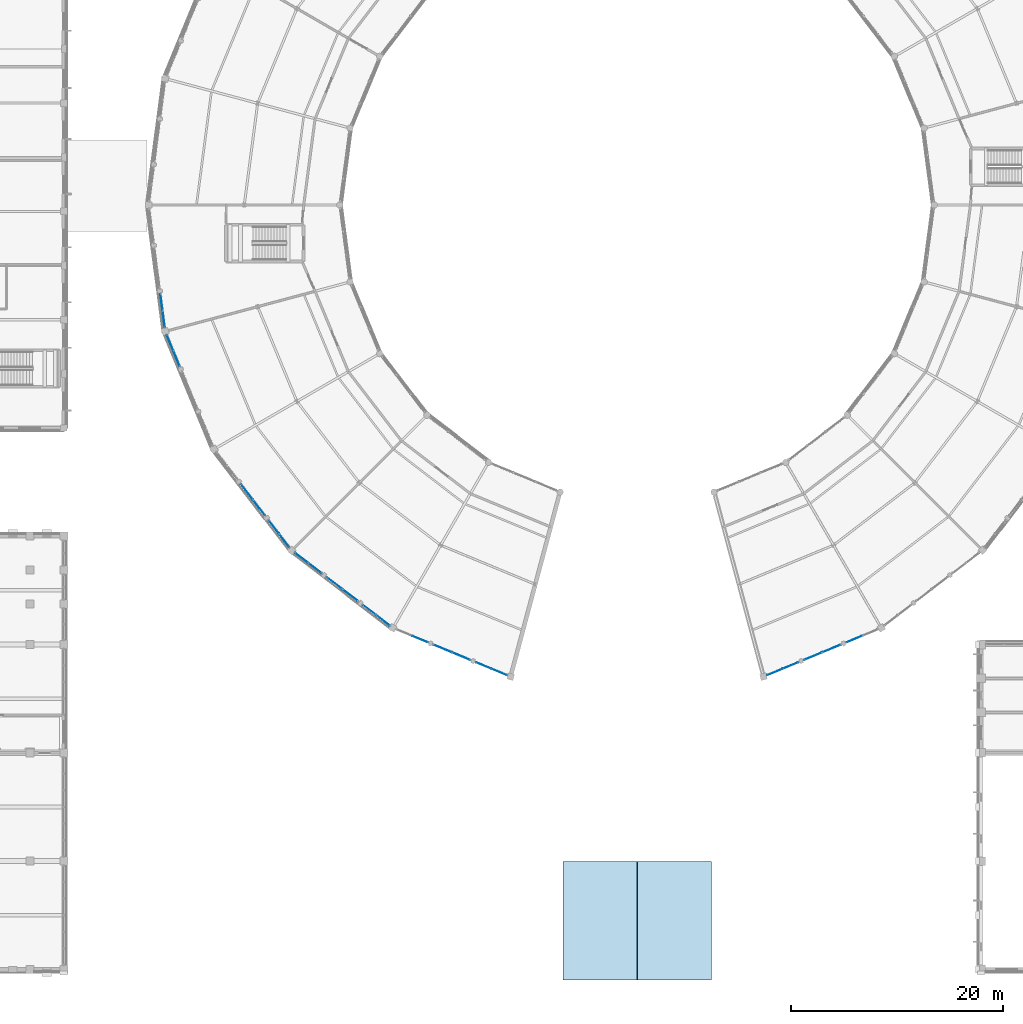
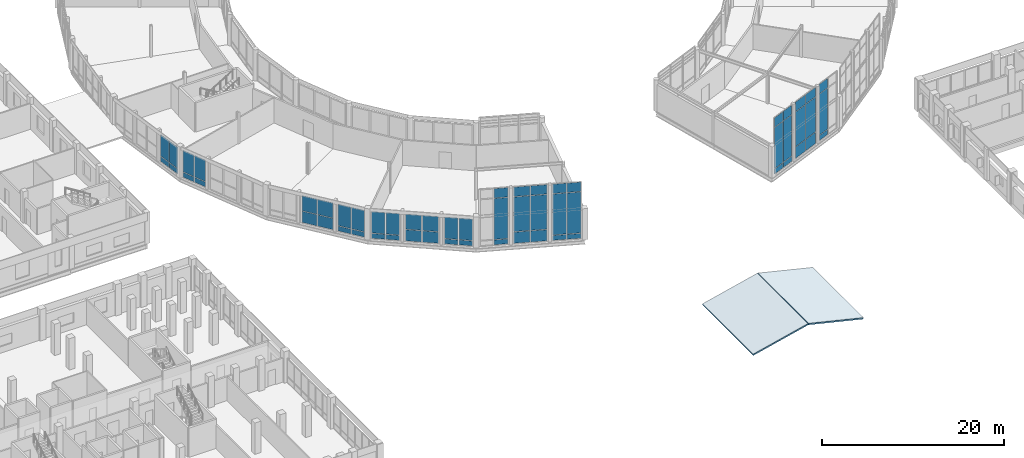
# One storey, part 125 of 170: 58 plates, 2 slabs, 13 elements without a shape of their own.
"""IFC4 building model written with IfcOpenShell, lengths in metres."""

from ifc_helpers import new_model, si_unit, direction, frame, origin, origin_2d, place, context, subcontext, project, spatial, polyline, rectangle, outline, extrude, material, layer, layer_set, type_object, element, aggregate, save


model = new_model("IFC4")

# Units and contexts
model_context = context("Model", 3, precision=1e-05, world=origin(), true_north=direction((0.0, 1.0)))
body_context = subcontext(model_context, "Body", "Model", "MODEL_VIEW")
ifc_project = project(units=[si_unit("LENGTHUNIT", "METRE"), si_unit("AREAUNIT", "SQUARE_METRE"), si_unit("VOLUMEUNIT", "CUBIC_METRE"), si_unit("PLANEANGLEUNIT", "RADIAN"), si_unit("MASSUNIT", "GRAM", prefix="KILO")], contexts=[model_context])

# Site, building, storey
site_placement = place(None, origin())
site = spatial("IfcSite", under=ifc_project, at=site_placement, CompositionType="ELEMENT")
building_placement = place(site_placement, origin())
building = spatial("IfcBuilding", under=site, at=building_placement, Name="Vondelvale Polytechnic", CompositionType="ELEMENT")
storey_placement = place(building_placement, frame((0.0, 0.0, 5.39990234375)))
storey = spatial("IfcBuildingStorey", under=building, at=storey_placement, Name="L01", CompositionType="ELEMENT", Elevation=5.39990234375)

# Curtain wall, plates
ifc_material_1 = material(Name="Glulam GL18 structural Tasmanian oak (fb = 42 MPa)", Category="wood")
curtain_wall_type = type_object("IfcCurtainWallType", Name="CW-RING-OUTER", PredefinedType="NOTDEFINED", material=ifc_material_1)
curtain_wall_1_placement = place(storey_placement, origin())
curtain_wall_1 = element("IfcCurtainWall", 1, at=curtain_wall_1_placement, inside=storey, type_object=curtain_wall_type, Name="L01 architectural curtain wall CW-04-262", PredefinedType="NOTDEFINED")
ifc_material_2 = material(Name="Double-glazed low-E insulated architectural glass", Category="glass")
ifc_layer_1 = layer(ifc_material_2, 0.028076171875)
ifc_layer_set_1 = layer_set([ifc_layer_1], Name="CW-PANEL-GLAZED")
plate_type_1 = type_object("IfcPlateType", Name="CW-PANEL-GLAZED", PredefinedType="CURTAIN_PANEL", material=ifc_layer_set_1)
plate_1_placement = place(storey_placement, frame((57.20751953125, 62.828369140625, 0.7802734375), z_axis=(0.0, 0.0, 1.0), x_axis=(0.130539547729, -0.991443102996, 0.0)))
plate_1 = element("IfcPlate", 2, at=plate_1_placement, type_object=plate_type_1, Name="CW-04-262 panel 1.2", PredefinedType="CURTAIN_PANEL", context=body_context, shape_type="SweptSolid", body=[
    extrude(rectangle(XDim=1.530029296875, YDim=0.028076171875, at=origin_2d()), origin(), (0.0, 0.0, 1.0), 2.8798828125),
])
plate_2_placement = place(storey_placement, frame((57.415771484375, 61.2470703125, 0.7802734375), z_axis=(0.0, 0.0, 1.0), x_axis=(0.130539547729, -0.991443102996, 0.0)))
plate_2 = element("IfcPlate", 3, at=plate_2_placement, type_object=plate_type_1, Name="CW-04-262 panel 2.2", PredefinedType="CURTAIN_PANEL", context=body_context, shape_type="SweptSolid", body=[
    extrude(rectangle(XDim=1.530029296875, YDim=0.028076171875, at=origin_2d()), origin(), (0.0, 0.0, 1.0), 2.8798828125),
])

curtain_wall_2_placement = place(storey_placement, origin())
curtain_wall_2 = element("IfcCurtainWall", 4, at=curtain_wall_2_placement, inside=storey, type_object=curtain_wall_type, Name="L01 architectural curtain wall CW-04-280", PredefinedType="NOTDEFINED")
plate_3_placement = place(storey_placement, frame((58.01220703125, 59.02001953125, 0.7802734375), z_axis=(0.0, 0.0, 1.0), x_axis=(0.382677394529, -0.923882033442, 0.0)))
plate_3 = element("IfcPlate", 5, at=plate_3_placement, type_object=plate_type_1, Name="CW-04-280 panel 1.2", PredefinedType="CURTAIN_PANEL", context=body_context, shape_type="SweptSolid", body=[
    extrude(rectangle(XDim=1.530029296875, YDim=0.028076171875, at=origin_2d()), origin(), (0.0, 0.0, 1.0), 2.8798828125),
])
plate_4_placement = place(storey_placement, frame((58.622802734375, 57.546630859375, 0.7802734375), z_axis=(0.0, 0.0, 1.0), x_axis=(0.382677394529, -0.923882033442, 0.0)))
plate_4 = element("IfcPlate", 6, at=plate_4_placement, type_object=plate_type_1, Name="CW-04-280 panel 2.2", PredefinedType="CURTAIN_PANEL", context=body_context, shape_type="SweptSolid", body=[
    extrude(rectangle(XDim=1.530029296875, YDim=0.028076171875, at=origin_2d()), origin(), (0.0, 0.0, 1.0), 2.8798828125),
])

curtain_wall_3_placement = place(storey_placement, origin())
curtain_wall_3 = element("IfcCurtainWall", 7, at=curtain_wall_3_placement, inside=storey, type_object=curtain_wall_type, Name="L01 architectural curtain wall CW-04-301", PredefinedType="NOTDEFINED")
plate_5_placement = place(storey_placement, frame((67.794189453125, 41.660888671875, 0.7802734375), z_axis=(0.0, 0.0, 1.0), x_axis=(0.608786860133, -0.793333825656, 0.0)))
plate_5 = element("IfcPlate", 8, at=plate_5_placement, type_object=plate_type_1, Name="CW-04-301 panel 1.2", PredefinedType="CURTAIN_PANEL", context=body_context, shape_type="SweptSolid", body=[
    extrude(rectangle(XDim=1.530029296875, YDim=0.028076171875, at=origin_2d()), origin(), (0.0, 0.0, 1.0), 2.8798828125),
])
plate_6_placement = place(storey_placement, frame((68.765380859375, 40.3955078125, 0.7802734375), z_axis=(0.0, 0.0, 1.0), x_axis=(0.608786860133, -0.793333825656, 0.0)))
plate_6 = element("IfcPlate", 9, at=plate_6_placement, type_object=plate_type_1, Name="CW-04-301 panel 2.2", PredefinedType="CURTAIN_PANEL", context=body_context, shape_type="SweptSolid", body=[
    extrude(rectangle(XDim=1.530029296875, YDim=0.028076171875, at=origin_2d()), origin(), (0.0, 0.0, 1.0), 2.8798828125),
])

curtain_wall_4_placement = place(storey_placement, origin())
curtain_wall_4 = element("IfcCurtainWall", 10, at=curtain_wall_4_placement, inside=storey, type_object=curtain_wall_type, Name="L01 architectural curtain wall CW-04-318", PredefinedType="NOTDEFINED")
plate_7_placement = place(storey_placement, frame((70.3955078125, 38.765380859375, 0.7802734375), z_axis=(0.0, 0.0, 1.0), x_axis=(0.793333825656, -0.608786860133, 0.0)))
plate_7 = element("IfcPlate", 11, at=plate_7_placement, type_object=plate_type_1, Name="CW-04-318 panel 1.2", PredefinedType="CURTAIN_PANEL", context=body_context, shape_type="SweptSolid", body=[
    extrude(rectangle(XDim=1.530029296875, YDim=0.028076171875, at=origin_2d()), origin(), (0.0, 0.0, 1.0), 2.8798828125),
])
plate_8_placement = place(storey_placement, frame((71.660888671875, 37.794189453125, 0.7802734375), z_axis=(0.0, 0.0, 1.0), x_axis=(0.793333825656, -0.608786860133, 0.0)))
plate_8 = element("IfcPlate", 12, at=plate_8_placement, type_object=plate_type_1, Name="CW-04-318 panel 2.2", PredefinedType="CURTAIN_PANEL", context=body_context, shape_type="SweptSolid", body=[
    extrude(rectangle(XDim=1.530029296875, YDim=0.028076171875, at=origin_2d()), origin(), (0.0, 0.0, 1.0), 2.8798828125),
])

curtain_wall_5_placement = place(storey_placement, origin())
curtain_wall_5 = element("IfcCurtainWall", 13, at=curtain_wall_5_placement, inside=storey, type_object=curtain_wall_type, Name="L01 architectural curtain wall CW-04-319", PredefinedType="NOTDEFINED")
plate_9_placement = place(storey_placement, frame((73.4931640625, 36.388427734375, 1.6298828125), z_axis=(0.0, 0.0, 1.0), x_axis=(0.793345851043, -0.608771189063, 0.0)))
plate_9 = element("IfcPlate", 14, at=plate_9_placement, type_object=plate_type_1, Name="CW-04-319 panel 1.2", PredefinedType="CURTAIN_PANEL", context=body_context, shape_type="SweptSolid", body=[
    extrude(rectangle(XDim=1.80908203125, YDim=0.028076171875, at=origin_2d()), origin(), (0.0, 0.0, 1.0), 2.030029296875),
])
plate_10_placement = place(storey_placement, frame((74.97998046875, 35.24755859375, 1.6298828125), z_axis=(0.0, 0.0, 1.0), x_axis=(0.793345851043, -0.608771189063, 0.0)))
plate_10 = element("IfcPlate", 15, at=plate_10_placement, type_object=plate_type_1, Name="CW-04-319 panel 2.2", PredefinedType="CURTAIN_PANEL", context=body_context, shape_type="SweptSolid", body=[
    extrude(rectangle(XDim=1.80908203125, YDim=0.028076171875, at=origin_2d()), origin(), (0.0, 0.0, 1.0), 2.030029296875),
])

curtain_wall_6_placement = place(storey_placement, origin())
curtain_wall_6 = element("IfcCurtainWall", 16, at=curtain_wall_6_placement, inside=storey, type_object=curtain_wall_type, Name="L01 architectural curtain wall CW-04-320", PredefinedType="NOTDEFINED")
plate_11_placement = place(storey_placement, frame((76.812255859375, 33.841552734375, 0.7802734375), z_axis=(0.0, 0.0, 1.0), x_axis=(0.793333825656, -0.608786860133, 0.0)))
plate_11 = element("IfcPlate", 17, at=plate_11_placement, type_object=plate_type_1, Name="CW-04-320 panel 1.2", PredefinedType="CURTAIN_PANEL", context=body_context, shape_type="SweptSolid", body=[
    extrude(rectangle(XDim=1.530029296875, YDim=0.028076171875, at=origin_2d()), origin(), (0.0, 0.0, 1.0), 2.8798828125),
])
plate_12_placement = place(storey_placement, frame((78.07763671875, 32.87060546875, 0.7802734375), z_axis=(0.0, 0.0, 1.0), x_axis=(0.793333825656, -0.608786860133, 0.0)))
plate_12 = element("IfcPlate", 18, at=plate_12_placement, type_object=plate_type_1, Name="CW-04-320 panel 2.2", PredefinedType="CURTAIN_PANEL", context=body_context, shape_type="SweptSolid", body=[
    extrude(rectangle(XDim=1.530029296875, YDim=0.028076171875, at=origin_2d()), origin(), (0.0, 0.0, 1.0), 2.8798828125),
])

curtain_wall_7_placement = place(storey_placement, origin())
curtain_wall_7 = element("IfcCurtainWall", 19, at=curtain_wall_7_placement, inside=storey, type_object=curtain_wall_type, Name="L01 architectural curtain wall CW-04-330", PredefinedType="NOTDEFINED")
plate_13_placement = place(storey_placement, frame((81.5478515625, 31.107421875, 0.780029296875), z_axis=(0.0, 0.0, 1.0), x_axis=(0.923882033442, -0.382677394529, 0.0)))
plate_13 = element("IfcPlate", 20, at=plate_13_placement, type_object=plate_type_1, Name="CW-04-330 panel 2.2", PredefinedType="CURTAIN_PANEL", context=body_context, shape_type="SweptSolid", body=[
    extrude(rectangle(XDim=1.530029296875, YDim=0.028076171875, at=origin_2d()), origin(), (0.0, 0.0, 1.0), 5.50146484375),
])
plate_14_placement = place(storey_placement, frame((81.5478515625, 31.107421875, 6.34130859375), z_axis=(0.0, 0.0, 1.0), x_axis=(0.923882033442, -0.382677394529, 0.0)))
plate_14 = element("IfcPlate", 21, at=plate_14_placement, type_object=plate_type_1, Name="CW-04-330 panel 2.3", PredefinedType="CURTAIN_PANEL", context=body_context, shape_type="SweptSolid", body=[
    extrude(rectangle(XDim=1.530029296875, YDim=0.028076171875, at=origin_2d()), origin(), (0.0, 0.0, 1.0), 1.260009765625),
])

curtain_wall_8_placement = place(storey_placement, origin())
curtain_wall_8 = element("IfcCurtainWall", 22, at=curtain_wall_8_placement, inside=storey, type_object=curtain_wall_type, Name="L01 architectural curtain wall CW-04-331", PredefinedType="NOTDEFINED")
plate_15_placement = place(storey_placement, frame((83.681396484375, 30.2236328125, 1.630126953125), z_axis=(0.0, 0.0, 1.0), x_axis=(0.92387490701, -0.382694599123, 0.0)))
plate_15 = element("IfcPlate", 23, at=plate_15_placement, type_object=plate_type_1, Name="CW-04-331 panel 1.2", PredefinedType="CURTAIN_PANEL", context=body_context, shape_type="SweptSolid", body=[
    extrude(rectangle(XDim=1.80908203125, YDim=0.028076171875, at=origin_2d()), origin(), (0.0, 0.0, 1.0), 4.6513671875),
])
plate_16_placement = place(storey_placement, frame((83.681396484375, 30.2236328125, 6.34130859375), z_axis=(0.0, 0.0, 1.0), x_axis=(0.92387490701, -0.382694599123, 0.0)))
plate_16 = element("IfcPlate", 24, at=plate_16_placement, type_object=plate_type_1, Name="CW-04-331 panel 1.3", PredefinedType="CURTAIN_PANEL", context=body_context, shape_type="SweptSolid", body=[
    extrude(rectangle(XDim=1.80908203125, YDim=0.028076171875, at=origin_2d()), origin(), (0.0, 0.0, 1.0), 1.260009765625),
])
plate_17_placement = place(storey_placement, frame((85.412841796875, 29.506591796875, 1.630126953125), z_axis=(0.0, 0.0, 1.0), x_axis=(0.92387490701, -0.382694599123, 0.0)))
plate_17 = element("IfcPlate", 25, at=plate_17_placement, type_object=plate_type_1, Name="CW-04-331 panel 2.2", PredefinedType="CURTAIN_PANEL", context=body_context, shape_type="SweptSolid", body=[
    extrude(rectangle(XDim=1.80908203125, YDim=0.028076171875, at=origin_2d()), origin(), (0.0, 0.0, 1.0), 4.6513671875),
])
plate_18_placement = place(storey_placement, frame((85.412841796875, 29.506591796875, 6.34130859375), z_axis=(0.0, 0.0, 1.0), x_axis=(0.92387490701, -0.382694599123, 0.0)))
plate_18 = element("IfcPlate", 26, at=plate_18_placement, type_object=plate_type_1, Name="CW-04-331 panel 2.3", PredefinedType="CURTAIN_PANEL", context=body_context, shape_type="SweptSolid", body=[
    extrude(rectangle(XDim=1.80908203125, YDim=0.028076171875, at=origin_2d()), origin(), (0.0, 0.0, 1.0), 1.260009765625),
])

curtain_wall_9_placement = place(storey_placement, origin())
curtain_wall_9 = element("IfcCurtainWall", 27, at=curtain_wall_9_placement, inside=storey, type_object=curtain_wall_type, Name="L01 architectural curtain wall CW-04-332", PredefinedType="NOTDEFINED")
plate_19_placement = place(storey_placement, frame((87.546630859375, 28.622802734375, 0.780029296875), z_axis=(0.0, 0.0, 1.0), x_axis=(0.923882033442, -0.382677394529, 0.0)))
plate_19 = element("IfcPlate", 28, at=plate_19_placement, type_object=plate_type_1, Name="CW-04-332 panel 1.2", PredefinedType="CURTAIN_PANEL", context=body_context, shape_type="SweptSolid", body=[
    extrude(rectangle(XDim=1.530029296875, YDim=0.028076171875, at=origin_2d()), origin(), (0.0, 0.0, 1.0), 5.50146484375),
])
plate_20_placement = place(storey_placement, frame((87.546630859375, 28.622802734375, 6.34130859375), z_axis=(0.0, 0.0, 1.0), x_axis=(0.923882033442, -0.382677394529, 0.0)))
plate_20 = element("IfcPlate", 29, at=plate_20_placement, type_object=plate_type_1, Name="CW-04-332 panel 1.3", PredefinedType="CURTAIN_PANEL", context=body_context, shape_type="SweptSolid", body=[
    extrude(rectangle(XDim=1.530029296875, YDim=0.028076171875, at=origin_2d()), origin(), (0.0, 0.0, 1.0), 1.260009765625),
])
plate_21_placement = place(storey_placement, frame((89.02001953125, 28.01220703125, 0.780029296875), z_axis=(0.0, 0.0, 1.0), x_axis=(0.923882033442, -0.382677394529, 0.0)))
plate_21 = element("IfcPlate", 30, at=plate_21_placement, type_object=plate_type_1, Name="CW-04-332 panel 2.2", PredefinedType="CURTAIN_PANEL", context=body_context, shape_type="SweptSolid", body=[
    extrude(rectangle(XDim=1.530029296875, YDim=0.028076171875, at=origin_2d()), origin(), (0.0, 0.0, 1.0), 5.50146484375),
])
plate_22_placement = place(storey_placement, frame((89.02001953125, 28.01220703125, 6.34130859375), z_axis=(0.0, 0.0, 1.0), x_axis=(0.923882033442, -0.382677394529, 0.0)))
plate_22 = element("IfcPlate", 31, at=plate_22_placement, type_object=plate_type_1, Name="CW-04-332 panel 2.3", PredefinedType="CURTAIN_PANEL", context=body_context, shape_type="SweptSolid", body=[
    extrude(rectangle(XDim=1.530029296875, YDim=0.028076171875, at=origin_2d()), origin(), (0.0, 0.0, 1.0), 1.260009765625),
])

curtain_wall_10_placement = place(storey_placement, origin())
curtain_wall_10 = element("IfcCurtainWall", 32, at=curtain_wall_10_placement, inside=storey, type_object=curtain_wall_type, Name="L01 architectural curtain wall CW-04-338", PredefinedType="NOTDEFINED")
plate_23_placement = place(storey_placement, frame((114.97998046875, 28.01220703125, 0.780029296875), z_axis=(0.0, 0.0, 1.0), x_axis=(0.923882033442, 0.382677394529, 0.0)))
plate_23 = element("IfcPlate", 33, at=plate_23_placement, type_object=plate_type_1, Name="CW-04-338 panel 1.2", PredefinedType="CURTAIN_PANEL", context=body_context, shape_type="SweptSolid", body=[
    extrude(rectangle(XDim=1.530029296875, YDim=0.028076171875, at=origin_2d()), origin(), (0.0, 0.0, 1.0), 5.50146484375),
])
plate_24_placement = place(storey_placement, frame((114.97998046875, 28.01220703125, 6.34130859375), z_axis=(0.0, 0.0, 1.0), x_axis=(0.923882033442, 0.382677394529, 0.0)))
plate_24 = element("IfcPlate", 34, at=plate_24_placement, type_object=plate_type_1, Name="CW-04-338 panel 1.3", PredefinedType="CURTAIN_PANEL", context=body_context, shape_type="SweptSolid", body=[
    extrude(rectangle(XDim=1.530029296875, YDim=0.028076171875, at=origin_2d()), origin(), (0.0, 0.0, 1.0), 1.260009765625),
])
plate_25_placement = place(storey_placement, frame((116.453369140625, 28.622802734375, 0.780029296875), z_axis=(0.0, 0.0, 1.0), x_axis=(0.923882033442, 0.382677394529, 0.0)))
plate_25 = element("IfcPlate", 35, at=plate_25_placement, type_object=plate_type_1, Name="CW-04-338 panel 2.2", PredefinedType="CURTAIN_PANEL", context=body_context, shape_type="SweptSolid", body=[
    extrude(rectangle(XDim=1.530029296875, YDim=0.028076171875, at=origin_2d()), origin(), (0.0, 0.0, 1.0), 5.50146484375),
])
plate_26_placement = place(storey_placement, frame((116.453369140625, 28.622802734375, 6.34130859375), z_axis=(0.0, 0.0, 1.0), x_axis=(0.923882033442, 0.382677394529, 0.0)))
plate_26 = element("IfcPlate", 36, at=plate_26_placement, type_object=plate_type_1, Name="CW-04-338 panel 2.3", PredefinedType="CURTAIN_PANEL", context=body_context, shape_type="SweptSolid", body=[
    extrude(rectangle(XDim=1.530029296875, YDim=0.028076171875, at=origin_2d()), origin(), (0.0, 0.0, 1.0), 1.260009765625),
])

curtain_wall_11_placement = place(storey_placement, origin())
curtain_wall_11 = element("IfcCurtainWall", 37, at=curtain_wall_11_placement, inside=storey, type_object=curtain_wall_type, Name="L01 architectural curtain wall CW-04-339", PredefinedType="NOTDEFINED")
plate_27_placement = place(storey_placement, frame((118.587158203125, 29.506591796875, 1.630126953125), z_axis=(0.0, 0.0, 1.0), x_axis=(0.92387490701, 0.382694599123, 0.0)))
plate_27 = element("IfcPlate", 38, at=plate_27_placement, type_object=plate_type_1, Name="CW-04-339 panel 1.2", PredefinedType="CURTAIN_PANEL", context=body_context, shape_type="SweptSolid", body=[
    extrude(rectangle(XDim=1.80908203125, YDim=0.028076171875, at=origin_2d()), origin(), (0.0, 0.0, 1.0), 4.6513671875),
])
plate_28_placement = place(storey_placement, frame((118.587158203125, 29.506591796875, 6.34130859375), z_axis=(0.0, 0.0, 1.0), x_axis=(0.92387490701, 0.382694599123, 0.0)))
plate_28 = element("IfcPlate", 39, at=plate_28_placement, type_object=plate_type_1, Name="CW-04-339 panel 1.3", PredefinedType="CURTAIN_PANEL", context=body_context, shape_type="SweptSolid", body=[
    extrude(rectangle(XDim=1.80908203125, YDim=0.028076171875, at=origin_2d()), origin(), (0.0, 0.0, 1.0), 1.260009765625),
])
plate_29_placement = place(storey_placement, frame((120.318603515625, 30.2236328125, 1.630126953125), z_axis=(0.0, 0.0, 1.0), x_axis=(0.92387490701, 0.382694599123, 0.0)))
plate_29 = element("IfcPlate", 40, at=plate_29_placement, type_object=plate_type_1, Name="CW-04-339 panel 2.2", PredefinedType="CURTAIN_PANEL", context=body_context, shape_type="SweptSolid", body=[
    extrude(rectangle(XDim=1.80908203125, YDim=0.028076171875, at=origin_2d()), origin(), (0.0, 0.0, 1.0), 4.6513671875),
])
plate_30_placement = place(storey_placement, frame((120.318603515625, 30.2236328125, 6.34130859375), z_axis=(0.0, 0.0, 1.0), x_axis=(0.92387490701, 0.382694599123, 0.0)))
plate_30 = element("IfcPlate", 41, at=plate_30_placement, type_object=plate_type_1, Name="CW-04-339 panel 2.3", PredefinedType="CURTAIN_PANEL", context=body_context, shape_type="SweptSolid", body=[
    extrude(rectangle(XDim=1.80908203125, YDim=0.028076171875, at=origin_2d()), origin(), (0.0, 0.0, 1.0), 1.260009765625),
])

curtain_wall_12_placement = place(storey_placement, origin())
curtain_wall_12 = element("IfcCurtainWall", 42, at=curtain_wall_12_placement, inside=storey, type_object=curtain_wall_type, Name="L01 architectural curtain wall CW-04-340", PredefinedType="NOTDEFINED")
plate_31_placement = place(storey_placement, frame((122.4521484375, 31.107421875, 0.780029296875), z_axis=(0.0, 0.0, 1.0), x_axis=(0.923882033442, 0.382677394529, 0.0)))
plate_31 = element("IfcPlate", 43, at=plate_31_placement, type_object=plate_type_1, Name="CW-04-340 panel 1.2", PredefinedType="CURTAIN_PANEL", context=body_context, shape_type="SweptSolid", body=[
    extrude(rectangle(XDim=1.530029296875, YDim=0.028076171875, at=origin_2d()), origin(), (0.0, 0.0, 1.0), 5.50146484375),
])
plate_32_placement = place(storey_placement, frame((122.4521484375, 31.107421875, 6.34130859375), z_axis=(0.0, 0.0, 1.0), x_axis=(0.923882033442, 0.382677394529, 0.0)))
plate_32 = element("IfcPlate", 44, at=plate_32_placement, type_object=plate_type_1, Name="CW-04-340 panel 1.3", PredefinedType="CURTAIN_PANEL", context=body_context, shape_type="SweptSolid", body=[
    extrude(rectangle(XDim=1.530029296875, YDim=0.028076171875, at=origin_2d()), origin(), (0.0, 0.0, 1.0), 1.260009765625),
])

curtain_wall_13_placement = place(storey_placement, origin())
curtain_wall_13 = element("IfcCurtainWall", 45, at=curtain_wall_13_placement, inside=storey, type_object=curtain_wall_type, Name="L01 architectural curtain wall CW-04-300", PredefinedType="NOTDEFINED")
ifc_material_3 = material(Name="Engineered Tasmanian oak studio and bridge joinery")
ifc_layer_2 = layer(ifc_material_3, 0.0419921875)
ifc_layer_set_2 = layer_set([ifc_layer_2], Name="CW-PANEL-OAK")
plate_type_2 = type_object("IfcPlateType", Name="CW-PANEL-OAK", PredefinedType="CURTAIN_PANEL", material=ifc_layer_set_2)
plate_33_placement = place(storey_placement, frame((65.24755859375, 44.97998046875, 0.06005859375), z_axis=(0.0, 0.0, 1.0), x_axis=(0.608771189063, -0.793345851043, 0.0)))
plate_33 = element("IfcPlate", 46, at=plate_33_placement, type_object=plate_type_2, Name="CW-04-300 panel 1.1", PredefinedType="CURTAIN_PANEL", context=body_context, shape_type="SweptSolid", body=[
    extrude(rectangle(XDim=1.80908203125, YDim=0.0419921875, at=origin_2d()), origin(), (0.0, 0.0, 1.0), 1.510009765625),
])
plate_34_placement = place(storey_placement, frame((65.24755859375, 44.97998046875, 1.6298828125), z_axis=(0.0, 0.0, 1.0), x_axis=(0.608771189063, -0.793345851043, 0.0)))
plate_34 = element("IfcPlate", 47, at=plate_34_placement, type_object=plate_type_2, Name="CW-04-300 panel 1.2", PredefinedType="CURTAIN_PANEL", context=body_context, shape_type="SweptSolid", body=[
    extrude(rectangle(XDim=1.80908203125, YDim=0.0419921875, at=origin_2d()), origin(), (0.0, 0.0, 1.0), 2.030029296875),
])
plate_35_placement = place(storey_placement, frame((66.388427734375, 43.4931640625, 0.06005859375), z_axis=(0.0, 0.0, 1.0), x_axis=(0.608771189063, -0.793345851043, 0.0)))
plate_35 = element("IfcPlate", 48, at=plate_35_placement, type_object=plate_type_2, Name="CW-04-300 panel 2.1", PredefinedType="CURTAIN_PANEL", context=body_context, shape_type="SweptSolid", body=[
    extrude(rectangle(XDim=1.80908203125, YDim=0.0419921875, at=origin_2d()), origin(), (0.0, 0.0, 1.0), 1.510009765625),
])
plate_36_placement = place(storey_placement, frame((66.388427734375, 43.4931640625, 1.6298828125), z_axis=(0.0, 0.0, 1.0), x_axis=(0.608771189063, -0.793345851043, 0.0)))
plate_36 = element("IfcPlate", 49, at=plate_36_placement, type_object=plate_type_2, Name="CW-04-300 panel 2.2", PredefinedType="CURTAIN_PANEL", context=body_context, shape_type="SweptSolid", body=[
    extrude(rectangle(XDim=1.80908203125, YDim=0.0419921875, at=origin_2d()), origin(), (0.0, 0.0, 1.0), 2.030029296875),
])
aggregate(curtain_wall_13, [plate_33, plate_34, plate_35, plate_36])

# Plate
plate_37_placement = place(storey_placement, frame((73.4931640625, 36.388427734375, 0.06005859375), z_axis=(0.0, 0.0, 1.0), x_axis=(0.793345851043, -0.608771189063, 0.0)))
plate_37 = element("IfcPlate", 50, at=plate_37_placement, type_object=plate_type_2, Name="CW-04-319 panel 1.1", PredefinedType="CURTAIN_PANEL", context=body_context, shape_type="SweptSolid", body=[
    extrude(rectangle(XDim=1.80908203125, YDim=0.0419921875, at=origin_2d()), origin(), (0.0, 0.0, 1.0), 1.510009765625),
])

plate_38_placement = place(storey_placement, frame((74.97998046875, 35.24755859375, 0.06005859375), z_axis=(0.0, 0.0, 1.0), x_axis=(0.793345851043, -0.608771189063, 0.0)))
plate_38 = element("IfcPlate", 51, at=plate_38_placement, type_object=plate_type_2, Name="CW-04-319 panel 2.1", PredefinedType="CURTAIN_PANEL", context=body_context, shape_type="SweptSolid", body=[
    extrude(rectangle(XDim=1.80908203125, YDim=0.0419921875, at=origin_2d()), origin(), (0.0, 0.0, 1.0), 1.510009765625),
])

aggregate(curtain_wall_5, [plate_37, plate_9, plate_38, plate_10])

plate_39_placement = place(storey_placement, frame((83.681396484375, 30.2236328125, 0.06005859375), z_axis=(0.0, 0.0, 1.0), x_axis=(0.92387490701, -0.382694599123, 0.0)))
plate_39 = element("IfcPlate", 52, at=plate_39_placement, type_object=plate_type_2, Name="CW-04-331 panel 1.1", PredefinedType="CURTAIN_PANEL", context=body_context, shape_type="SweptSolid", body=[
    extrude(rectangle(XDim=1.80908203125, YDim=0.0419921875, at=origin_2d()), origin(), (0.0, 0.0, 1.0), 1.510009765625),
])

plate_40_placement = place(storey_placement, frame((85.412841796875, 29.506591796875, 0.06005859375), z_axis=(0.0, 0.0, 1.0), x_axis=(0.92387490701, -0.382694599123, 0.0)))
plate_40 = element("IfcPlate", 53, at=plate_40_placement, type_object=plate_type_2, Name="CW-04-331 panel 2.1", PredefinedType="CURTAIN_PANEL", context=body_context, shape_type="SweptSolid", body=[
    extrude(rectangle(XDim=1.80908203125, YDim=0.0419921875, at=origin_2d()), origin(), (0.0, 0.0, 1.0), 1.510009765625),
])

aggregate(curtain_wall_8, [plate_39, plate_15, plate_16, plate_40, plate_17, plate_18])

plate_41_placement = place(storey_placement, frame((118.587158203125, 29.506591796875, 0.06005859375), z_axis=(0.0, 0.0, 1.0), x_axis=(0.92387490701, 0.382694599123, 0.0)))
plate_41 = element("IfcPlate", 54, at=plate_41_placement, type_object=plate_type_2, Name="CW-04-339 panel 1.1", PredefinedType="CURTAIN_PANEL", context=body_context, shape_type="SweptSolid", body=[
    extrude(rectangle(XDim=1.80908203125, YDim=0.0419921875, at=origin_2d()), origin(), (0.0, 0.0, 1.0), 1.510009765625),
])

plate_42_placement = place(storey_placement, frame((120.318603515625, 30.2236328125, 0.06005859375), z_axis=(0.0, 0.0, 1.0), x_axis=(0.92387490701, 0.382694599123, 0.0)))
plate_42 = element("IfcPlate", 55, at=plate_42_placement, type_object=plate_type_2, Name="CW-04-339 panel 2.1", PredefinedType="CURTAIN_PANEL", context=body_context, shape_type="SweptSolid", body=[
    extrude(rectangle(XDim=1.80908203125, YDim=0.0419921875, at=origin_2d()), origin(), (0.0, 0.0, 1.0), 1.510009765625),
])

aggregate(curtain_wall_11, [plate_41, plate_27, plate_28, plate_42, plate_29, plate_30])

ifc_material_4 = material(Name="Kiln-fired architectural terracotta", Category="masonry")
ifc_layer_3 = layer(ifc_material_4, 0.035888671875)
ifc_layer_set_3 = layer_set([ifc_layer_3], Name="CW-PANEL-SPANDREL")
plate_type_3 = type_object("IfcPlateType", Name="CW-PANEL-SPANDREL", PredefinedType="CURTAIN_PANEL", material=ifc_layer_set_3)
plate_43_placement = place(storey_placement, frame((57.20751953125, 62.828369140625, 0.06005859375), z_axis=(0.0, 0.0, 1.0), x_axis=(0.130539547729, -0.991443102996, 0.0)))
plate_43 = element("IfcPlate", 56, at=plate_43_placement, type_object=plate_type_3, Name="CW-04-262 panel 1.1", PredefinedType="CURTAIN_PANEL", context=body_context, shape_type="SweptSolid", body=[
    extrude(rectangle(XDim=1.530029296875, YDim=0.035888671875, at=origin_2d()), origin(), (0.0, 0.0, 1.0), 0.659912109375),
])

plate_44_placement = place(storey_placement, frame((57.415771484375, 61.2470703125, 0.06005859375), z_axis=(0.0, 0.0, 1.0), x_axis=(0.130539547729, -0.991443102996, 0.0)))
plate_44 = element("IfcPlate", 57, at=plate_44_placement, type_object=plate_type_3, Name="CW-04-262 panel 2.1", PredefinedType="CURTAIN_PANEL", context=body_context, shape_type="SweptSolid", body=[
    extrude(rectangle(XDim=1.530029296875, YDim=0.035888671875, at=origin_2d()), origin(), (0.0, 0.0, 1.0), 0.659912109375),
])

aggregate(curtain_wall_1, [plate_43, plate_1, plate_44, plate_2])

plate_45_placement = place(storey_placement, frame((58.01220703125, 59.02001953125, 0.06005859375), z_axis=(0.0, 0.0, 1.0), x_axis=(0.382677394529, -0.923882033442, 0.0)))
plate_45 = element("IfcPlate", 58, at=plate_45_placement, type_object=plate_type_3, Name="CW-04-280 panel 1.1", PredefinedType="CURTAIN_PANEL", context=body_context, shape_type="SweptSolid", body=[
    extrude(rectangle(XDim=1.530029296875, YDim=0.035888671875, at=origin_2d()), origin(), (0.0, 0.0, 1.0), 0.659912109375),
])

plate_46_placement = place(storey_placement, frame((58.622802734375, 57.546630859375, 0.06005859375), z_axis=(0.0, 0.0, 1.0), x_axis=(0.382677394529, -0.923882033442, 0.0)))
plate_46 = element("IfcPlate", 59, at=plate_46_placement, type_object=plate_type_3, Name="CW-04-280 panel 2.1", PredefinedType="CURTAIN_PANEL", context=body_context, shape_type="SweptSolid", body=[
    extrude(rectangle(XDim=1.530029296875, YDim=0.035888671875, at=origin_2d()), origin(), (0.0, 0.0, 1.0), 0.659912109375),
])

aggregate(curtain_wall_2, [plate_45, plate_3, plate_46, plate_4])

plate_47_placement = place(storey_placement, frame((67.794189453125, 41.660888671875, 0.06005859375), z_axis=(0.0, 0.0, 1.0), x_axis=(0.608786860133, -0.793333825656, 0.0)))
plate_47 = element("IfcPlate", 60, at=plate_47_placement, type_object=plate_type_3, Name="CW-04-301 panel 1.1", PredefinedType="CURTAIN_PANEL", context=body_context, shape_type="SweptSolid", body=[
    extrude(rectangle(XDim=1.530029296875, YDim=0.035888671875, at=origin_2d()), origin(), (0.0, 0.0, 1.0), 0.659912109375),
])

plate_48_placement = place(storey_placement, frame((68.765380859375, 40.3955078125, 0.06005859375), z_axis=(0.0, 0.0, 1.0), x_axis=(0.608786860133, -0.793333825656, 0.0)))
plate_48 = element("IfcPlate", 61, at=plate_48_placement, type_object=plate_type_3, Name="CW-04-301 panel 2.1", PredefinedType="CURTAIN_PANEL", context=body_context, shape_type="SweptSolid", body=[
    extrude(rectangle(XDim=1.530029296875, YDim=0.035888671875, at=origin_2d()), origin(), (0.0, 0.0, 1.0), 0.659912109375),
])

aggregate(curtain_wall_3, [plate_47, plate_5, plate_48, plate_6])

plate_49_placement = place(storey_placement, frame((70.3955078125, 38.765380859375, 0.06005859375), z_axis=(0.0, 0.0, 1.0), x_axis=(0.793333825656, -0.608786860133, 0.0)))
plate_49 = element("IfcPlate", 62, at=plate_49_placement, type_object=plate_type_3, Name="CW-04-318 panel 1.1", PredefinedType="CURTAIN_PANEL", context=body_context, shape_type="SweptSolid", body=[
    extrude(rectangle(XDim=1.530029296875, YDim=0.035888671875, at=origin_2d()), origin(), (0.0, 0.0, 1.0), 0.659912109375),
])

plate_50_placement = place(storey_placement, frame((71.660888671875, 37.794189453125, 0.06005859375), z_axis=(0.0, 0.0, 1.0), x_axis=(0.793333825656, -0.608786860133, 0.0)))
plate_50 = element("IfcPlate", 63, at=plate_50_placement, type_object=plate_type_3, Name="CW-04-318 panel 2.1", PredefinedType="CURTAIN_PANEL", context=body_context, shape_type="SweptSolid", body=[
    extrude(rectangle(XDim=1.530029296875, YDim=0.035888671875, at=origin_2d()), origin(), (0.0, 0.0, 1.0), 0.659912109375),
])

aggregate(curtain_wall_4, [plate_49, plate_7, plate_50, plate_8])

plate_51_placement = place(storey_placement, frame((76.812255859375, 33.841552734375, 0.06005859375), z_axis=(0.0, 0.0, 1.0), x_axis=(0.793333825656, -0.608786860133, 0.0)))
plate_51 = element("IfcPlate", 64, at=plate_51_placement, type_object=plate_type_3, Name="CW-04-320 panel 1.1", PredefinedType="CURTAIN_PANEL", context=body_context, shape_type="SweptSolid", body=[
    extrude(rectangle(XDim=1.530029296875, YDim=0.035888671875, at=origin_2d()), origin(), (0.0, 0.0, 1.0), 0.659912109375),
])

plate_52_placement = place(storey_placement, frame((78.07763671875, 32.87060546875, 0.06005859375), z_axis=(0.0, 0.0, 1.0), x_axis=(0.793333825656, -0.608786860133, 0.0)))
plate_52 = element("IfcPlate", 65, at=plate_52_placement, type_object=plate_type_3, Name="CW-04-320 panel 2.1", PredefinedType="CURTAIN_PANEL", context=body_context, shape_type="SweptSolid", body=[
    extrude(rectangle(XDim=1.530029296875, YDim=0.035888671875, at=origin_2d()), origin(), (0.0, 0.0, 1.0), 0.659912109375),
])

aggregate(curtain_wall_6, [plate_51, plate_11, plate_52, plate_12])

plate_53_placement = place(storey_placement, frame((81.5478515625, 31.107421875, 0.06005859375), z_axis=(0.0, 0.0, 1.0), x_axis=(0.923882033442, -0.382677394529, 0.0)))
plate_53 = element("IfcPlate", 66, at=plate_53_placement, type_object=plate_type_3, Name="CW-04-330 panel 2.1", PredefinedType="CURTAIN_PANEL", context=body_context, shape_type="SweptSolid", body=[
    extrude(rectangle(XDim=1.530029296875, YDim=0.035888671875, at=origin_2d()), origin(), (0.0, 0.0, 1.0), 0.659912109375),
])

aggregate(curtain_wall_7, [plate_53, plate_13, plate_14])

plate_54_placement = place(storey_placement, frame((87.546630859375, 28.622802734375, 0.06005859375), z_axis=(0.0, 0.0, 1.0), x_axis=(0.923882033442, -0.382677394529, 0.0)))
plate_54 = element("IfcPlate", 67, at=plate_54_placement, type_object=plate_type_3, Name="CW-04-332 panel 1.1", PredefinedType="CURTAIN_PANEL", context=body_context, shape_type="SweptSolid", body=[
    extrude(rectangle(XDim=1.530029296875, YDim=0.035888671875, at=origin_2d()), origin(), (0.0, 0.0, 1.0), 0.659912109375),
])

plate_55_placement = place(storey_placement, frame((89.02001953125, 28.01220703125, 0.06005859375), z_axis=(0.0, 0.0, 1.0), x_axis=(0.923882033442, -0.382677394529, 0.0)))
plate_55 = element("IfcPlate", 68, at=plate_55_placement, type_object=plate_type_3, Name="CW-04-332 panel 2.1", PredefinedType="CURTAIN_PANEL", context=body_context, shape_type="SweptSolid", body=[
    extrude(rectangle(XDim=1.530029296875, YDim=0.035888671875, at=origin_2d()), origin(), (0.0, 0.0, 1.0), 0.659912109375),
])

aggregate(curtain_wall_9, [plate_54, plate_19, plate_20, plate_55, plate_21, plate_22])

plate_56_placement = place(storey_placement, frame((114.97998046875, 28.01220703125, 0.06005859375), z_axis=(0.0, 0.0, 1.0), x_axis=(0.923882033442, 0.382677394529, 0.0)))
plate_56 = element("IfcPlate", 69, at=plate_56_placement, type_object=plate_type_3, Name="CW-04-338 panel 1.1", PredefinedType="CURTAIN_PANEL", context=body_context, shape_type="SweptSolid", body=[
    extrude(rectangle(XDim=1.530029296875, YDim=0.035888671875, at=origin_2d()), origin(), (0.0, 0.0, 1.0), 0.659912109375),
])

plate_57_placement = place(storey_placement, frame((116.453369140625, 28.622802734375, 0.06005859375), z_axis=(0.0, 0.0, 1.0), x_axis=(0.923882033442, 0.382677394529, 0.0)))
plate_57 = element("IfcPlate", 70, at=plate_57_placement, type_object=plate_type_3, Name="CW-04-338 panel 2.1", PredefinedType="CURTAIN_PANEL", context=body_context, shape_type="SweptSolid", body=[
    extrude(rectangle(XDim=1.530029296875, YDim=0.035888671875, at=origin_2d()), origin(), (0.0, 0.0, 1.0), 0.659912109375),
])

aggregate(curtain_wall_10, [plate_56, plate_23, plate_24, plate_57, plate_25, plate_26])

plate_58_placement = place(storey_placement, frame((122.4521484375, 31.107421875, 0.06005859375), z_axis=(0.0, 0.0, 1.0), x_axis=(0.923882033442, 0.382677394529, 0.0)))
plate_58 = element("IfcPlate", 71, at=plate_58_placement, type_object=plate_type_3, Name="CW-04-340 panel 1.1", PredefinedType="CURTAIN_PANEL", context=body_context, shape_type="SweptSolid", body=[
    extrude(rectangle(XDim=1.530029296875, YDim=0.035888671875, at=origin_2d()), origin(), (0.0, 0.0, 1.0), 0.659912109375),
])

aggregate(curtain_wall_12, [plate_58, plate_31, plate_32])

# Slabs
ifc_material_5 = material(Name="Concrete N40 (f'c = 40 MPa)", Category="concrete")
ifc_layer_4 = layer(ifc_material_5, 0.179931640625)
ifc_layer_set_4 = layer_set([ifc_layer_4], Name="SLB-CANOPY-180")
slab_type = type_object("IfcSlabType", Name="SLB-CANOPY-180", PredefinedType="ROOF", material=ifc_layer_set_4)
for number, where, z_axis, x_axis, name in (
    (72, (95.0, -1.0, 0.050048828125), (-0.232710312964, 0.0, 0.972546096717), (0.972546096717, 0.0, 0.232710312964), "Main entrance canopy West pitched roof"),
    (73, (102.02001953125, -1.0, 1.72021484375), (0.232710312964, 0.0, 0.972546096717), (0.972546096717, 0.0, -0.232710312964), "Main entrance canopy East pitched roof"),
):
    element("IfcSlab", number, at=place(storey_placement, frame(where, z_axis=z_axis, x_axis=x_axis)), inside=storey, type_object=slab_type, Name=name, PredefinedType="ROOF", context=body_context, shape_type="SweptSolid", body=[
        extrude(outline(polyline([(0.0, 0.0), (7.17701761624424, 0.0), (7.17701761624424, 11.139892578125), (0.0, 11.139892578125), (0.0, 0.0)])), origin(), (0.0, 0.0, -1.0), 0.179931640625),
    ])

save(model, "model.ifc")
